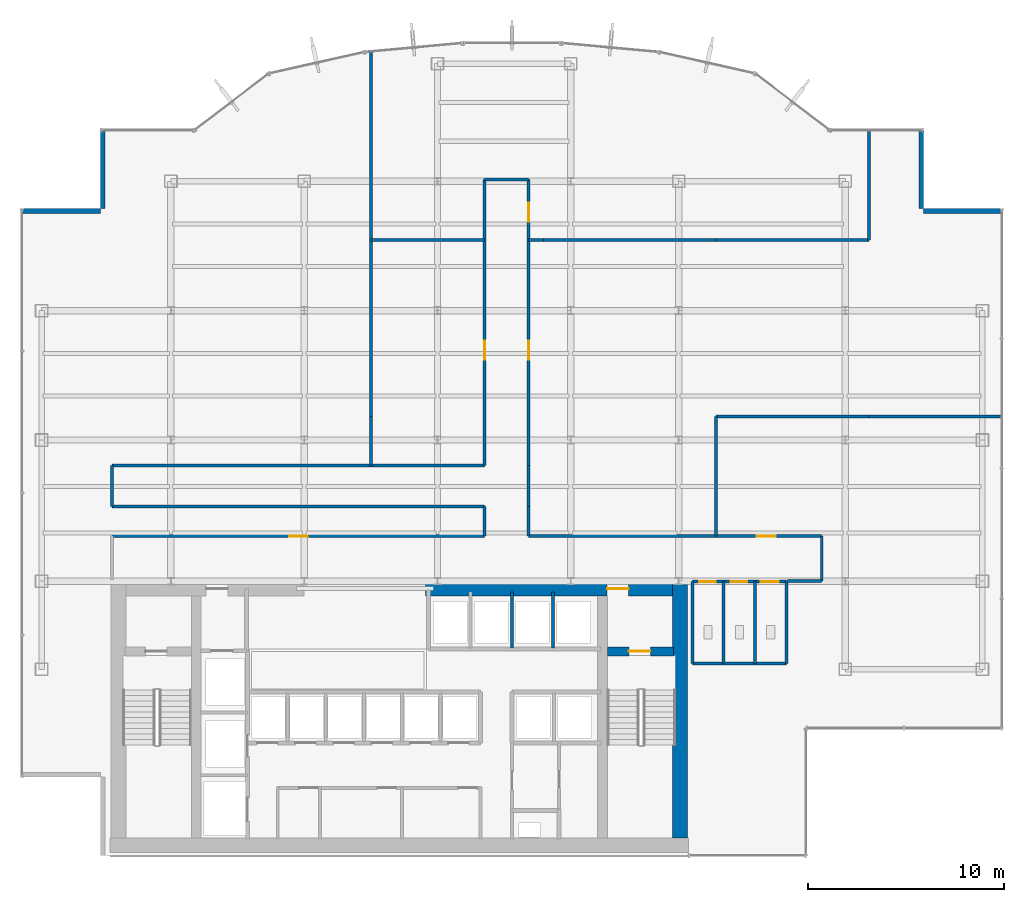
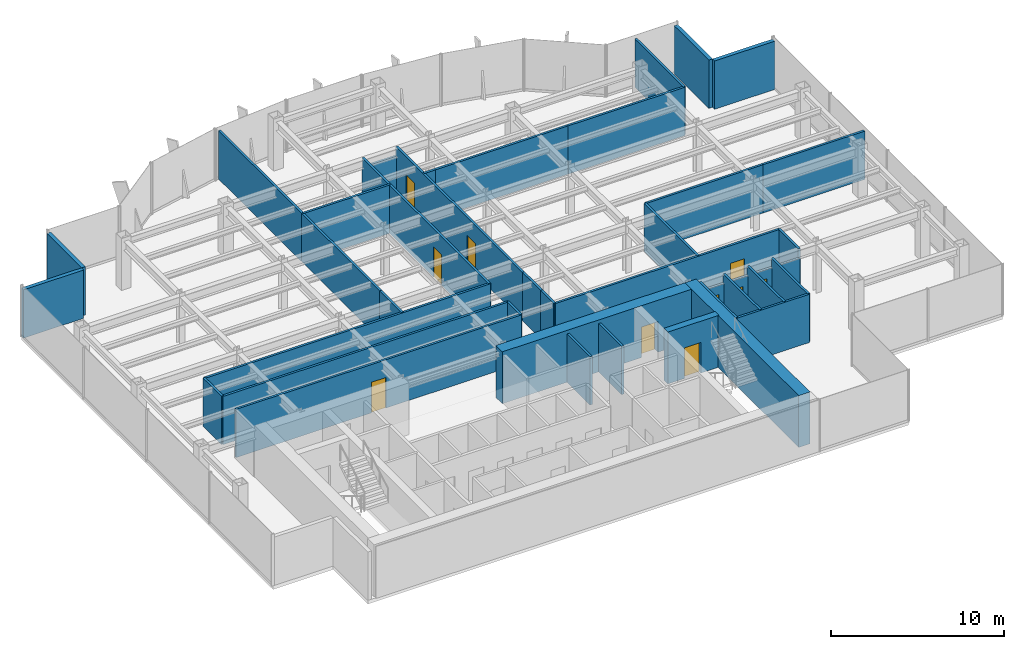
# One storey, part 21 of 25: 39 walls, 10 doors, 10 openings.
"""IFC4 building model written with IfcOpenShell, lengths in metres."""

from ifc_helpers import new_model, si_unit, derived_unit, direction, frame, frame_2d, origin, place, context, subcontext, project, spatial, rectangle, extrude, source, transform, mapped, material, layer, layer_set, type_object, element, fill, save


model = new_model("IFC4")

# Units and contexts
model_context = context("Model", 3, precision=1e-05, world=origin(), true_north=direction((0.0, 1.0)))
body_context = subcontext(model_context, "Body", "Model", "MODEL_VIEW")
ifc_project = project(units=[si_unit("LENGTHUNIT", "METRE"), si_unit("AREAUNIT", "SQUARE_METRE"), si_unit("VOLUMEUNIT", "CUBIC_METRE"), si_unit("PLANEANGLEUNIT", "RADIAN"), si_unit("MASSUNIT", "GRAM", prefix="KILO"), derived_unit("THERMALTRANSMITTANCEUNIT", [(si_unit("POWERUNIT", "WATT"), 1), (si_unit("LENGTHUNIT", "METRE"), -2), (si_unit("THERMODYNAMICTEMPERATUREUNIT", "KELVIN"), -1)])], contexts=[model_context])

# Site, building, storey
site_placement = place(None, origin())
site = spatial("IfcSite", under=ifc_project, at=site_placement, CompositionType="ELEMENT")
building_placement = place(site_placement, origin())
building = spatial("IfcBuilding", under=site, at=building_placement, Name="Skarnbrae Concourse Arena and Tower", CompositionType="ELEMENT")
storey_placement = place(building_placement, frame((0.0, 0.0, 177.10009765625)))
storey = spatial("IfcBuildingStorey", under=building, at=storey_placement, Name="L45", CompositionType="ELEMENT", Elevation=177.10009765625)

# Wall, opening, door
ifc_material_1 = material(Name="Concrete 50 MPa (C50/60)", Category="concrete")
ifc_layer_1 = layer(ifc_material_1, 0.449951171875)
ifc_layer_set_1 = layer_set([ifc_layer_1], Name="Concrete 50 MPa (C50/60)")
wall_type_1 = type_object("IfcWallType", Name="WALL-CORE-450-C50", PredefinedType="SHEAR", material=ifc_layer_set_1)
shared_shape_1 = source(origin(), body_context, "Body", "SweptSolid", [
    extrude(rectangle(XDim=3.389892578125, YDim=0.449951171875, at=frame_2d((1.69482421875, 0.0))), origin(), (0.0, 0.0, 1.0), 3.64990234375),
])
wall_1_placement = place(storey_placement, frame((29.860107421875, 10.419921875, 0.0), z_axis=(0.0, 0.0, 1.0), x_axis=(1.0, 0.0, 0.0)))
wall_1 = element("IfcWall", 1, at=wall_1_placement, inside=storey, type_object=wall_type_1, Name="L45 Rear core shear wall CW-ST2-N", PredefinedType="SHEAR", context=body_context, shape_type="MappedRepresentation", body=[
    mapped(shared_shape_1, transform((0.0, 0.0, 0.0))),
])
opening_1_placement = place(wall_1_placement, frame((1.10009765625, 0.0, 0.0)))
opening_1 = element("IfcOpeningElement", 2, at=opening_1_placement, cuts=wall_1, Name="Opening DT-03", PredefinedType="OPENING", context=body_context, shape_type="SweptSolid", body=[
    extrude(rectangle(XDim=1.10009765625, YDim=2.14990234375, at=frame_2d((0.550048828125, 1.074951171875))), frame((0.0, 0.23486328125, 0.0), z_axis=(0.0, -1.0, 0.0), x_axis=(1.0, 0.0, 0.0)), (0.0, 0.0, 1.0), 0.469970703125),
])
ifc_material_2 = material(Name="Steel CSA G40.21 350W", Category="steel")
door_type_1 = type_object("IfcDoorType", Name="DOOR-FIRE-1100-90M", OperationType="NOTDEFINED", PredefinedType="DOOR", material=ifc_material_2)
shared_shape_2 = source(origin(), body_context, "Body", "SweptSolid", [
    extrude(rectangle(XDim=1.10009765625, YDim=2.14990234375, at=frame_2d((0.550048828125, 1.074951171875))), frame((0.0, 0.02490234375, 0.0), z_axis=(0.0, -1.0, 0.0), x_axis=(1.0, 0.0, 0.0)), (0.0, 0.0, 1.0), 0.050048828125),
])
door_1_placement = place(opening_1_placement, frame((1.10009765625, 0.0, 0.0), z_axis=(0.0, 0.0, 1.0), x_axis=(-1.0, 0.0, 0.0)))
door_1 = element("IfcDoor", 3, at=door_1_placement, inside=storey, type_object=door_type_1, Name="D-1381 Stair ST-2 Door", OperationType="SINGLE_SWING_RIGHT", OverallHeight=2.14990234375, OverallWidth=1.10009765625, PredefinedType="DOOR", context=body_context, shape_type="MappedRepresentation", body=[
    mapped(shared_shape_2, transform((0.0, 0.0, 0.0))),
])
fill(opening_1, door_1)

# Wall
ifc_material_3 = material(Name="Concrete 60 MPa (C60/75)", Category="concrete")
ifc_layer_2 = layer(ifc_material_3, 0.75)
ifc_layer_set_2 = layer_set([ifc_layer_2], Name="Concrete 60 MPa (C60/75)")
wall_type_2 = type_object("IfcWallType", Name="WALL-CORE-750-C60", PredefinedType="SHEAR", material=ifc_layer_set_2)
shared_shape_3 = source(origin(), body_context, "Body", "SweptSolid", [
    extrude(rectangle(XDim=13.10009765625, YDim=0.75, at=frame_2d((6.550048828125, 0.0))), origin(), (0.0, 0.0, 1.0), 3.64990234375),
])
wall_2_placement = place(storey_placement, frame((33.574951171875, 0.89990234375, 0.0), z_axis=(0.0, 0.0, 1.0), x_axis=(0.0, 1.0, 0.0)))
element("IfcWall", 4, at=wall_2_placement, inside=storey, type_object=wall_type_2, Name="L45 Rear core shear wall CW-E", PredefinedType="SHEAR", context=body_context, shape_type="MappedRepresentation", body=[
    mapped(shared_shape_3, transform((0.0, 0.0, 0.0))),
])

# Wall, opening, door
shared_shape_4 = source(origin(), body_context, "Body", "SweptSolid", [
    extrude(rectangle(XDim=12.599853515625, YDim=0.75, at=frame_2d((6.2998046875, 0.0))), origin(), (0.0, 0.0, 1.0), 3.64990234375),
])
wall_3_placement = place(storey_placement, frame((20.60009765625, 13.625, 0.0), z_axis=(0.0, 0.0, 1.0), x_axis=(1.0, 0.0, 0.0)))
wall_3 = element("IfcWall", 5, at=wall_3_placement, inside=storey, type_object=wall_type_2, Name="L45 Rear core shear wall CW-NE", PredefinedType="SHEAR", context=body_context, shape_type="MappedRepresentation", body=[
    mapped(shared_shape_4, transform((0.0, 0.0, 0.0))),
])
opening_2_placement = place(wall_3_placement, frame((9.25, 0.0, 0.0)))
opening_2 = element("IfcOpeningElement", 6, at=opening_2_placement, cuts=wall_3, Name="Opening DT-03", PredefinedType="OPENING", context=body_context, shape_type="SweptSolid", body=[
    extrude(rectangle(XDim=1.10009765625, YDim=2.14990234375, at=frame_2d((0.550048828125, 1.074951171875))), frame((0.0, 0.385009765625, 0.0), z_axis=(0.0, -1.0, 0.0), x_axis=(1.0, 0.0, 0.0)), (0.0, 0.0, 1.0), 0.77001953125),
])
door_2_placement = place(opening_2_placement, origin())
door_2 = element("IfcDoor", 7, at=door_2_placement, inside=storey, type_object=door_type_1, Name="D-1383 Stair ST-2 Vestibule Door", OperationType="SINGLE_SWING_LEFT", OverallHeight=2.14990234375, OverallWidth=1.10009765625, PredefinedType="DOOR", context=body_context, shape_type="MappedRepresentation", body=[
    mapped(shared_shape_2, transform((0.0, 0.0, 0.0))),
])
fill(opening_2, door_2)

# Walls
ifc_material_4 = material(Name="Precast concrete 40 MPa (C40/50)", Category="concrete")
ifc_layer_3 = layer(ifc_material_4, 0.25)
ifc_layer_set_3 = layer_set([ifc_layer_3], Name="Precast concrete 40 MPa (C40/50)")
wall_type_3 = type_object("IfcWallType", Name="WALL-EXT-SPANDREL-250", PredefinedType="STANDARD", material=ifc_layer_set_3)
shared_shape_5 = source(origin(), body_context, "Body", "SweptSolid", [
    extrude(rectangle(XDim=4.0, YDim=0.25, at=frame_2d((2.0, 0.0))), origin(), (0.0, 0.0, 1.0), 3.39990234375),
])
for number, where, z_axis, x_axis, name in (
    (8, (50.0, 32.875, 0.0), (0.0, 0.0, 1.0), (-1.0, 0.0, 0.0), "L45 Notched corner insulated return wall 05"),
    (9, (45.875, 33.0, 0.0), (0.0, 0.0, 1.0), (0.0, 1.0, 0.0), "L45 Notched corner insulated return wall 06"),
    (10, (4.125, 37.0, 0.0), (0.0, 0.0, 1.0), (0.0, -1.0, 0.0), "L45 Notched corner insulated return wall 16"),
    (11, (4.0, 32.875, 0.0), (0.0, 0.0, 1.0), (-1.0, 0.0, 0.0), "L45 Notched corner insulated return wall 17"),
):
    element("IfcWall", number, at=place(storey_placement, frame(where, z_axis=z_axis, x_axis=x_axis)), inside=storey, type_object=wall_type_3, Name=name, PredefinedType="STANDARD", context=body_context, shape_type="MappedRepresentation", body=[
        mapped(shared_shape_5, transform((0.0, 0.0, 0.0))),
    ])
ifc_material_5 = material(Name="Gypsum board on cold-formed steel studs", Category="steel")
ifc_layer_4 = layer(ifc_material_5, 0.14990234375)
ifc_layer_set_4 = layer_set([ifc_layer_4], Name="Gypsum board on cold-formed steel studs")
wall_type_4 = type_object("IfcWallType", Name="WALL-PART-150", PredefinedType="PARTITIONING", material=ifc_layer_set_4)
shared_shape_6 = source(origin(), body_context, "Body", "SweptSolid", [
    extrude(rectangle(XDim=2.5, YDim=0.14990234375, at=frame_2d((1.25, 0.0))), origin(), (0.0, 0.0, 1.0), 3.39990234375),
])
wall_4_placement = place(storey_placement, frame((17.800048828125, 22.39990234375, 0.0), z_axis=(0.0, 0.0, 1.0), x_axis=(0.0, -1.0, 0.0)))
element("IfcWall", 12, at=wall_4_placement, inside=storey, type_object=wall_type_4, Name="L45 Interior partition wall W-L45-DEM-16", PredefinedType="PARTITIONING", context=body_context, shape_type="MappedRepresentation", body=[
    mapped(shared_shape_6, transform((0.0, 0.0, 0.0))),
])
shared_shape_7 = source(origin(), body_context, "Body", "SweptSolid", [
    extrude(rectangle(XDim=2.849853515625, YDim=0.14990234375, at=frame_2d((1.4248046875, 0.0))), origin(), (0.0, 0.0, 1.0), 3.39990234375),
])
for number, where, z_axis, x_axis, name in (
    (13, (24.989990234375, 10.60009765625, 0.0), (0.0, 0.0, 1.0), (0.0, 1.0, 0.0), "L45 Interior partition wall W-L45-B3N-P2"),
    (14, (27.090087890625, 10.60009765625, 0.0), (0.0, 0.0, 1.0), (0.0, 1.0, 0.0), "L45 Interior partition wall W-L45-B3N-P3"),
):
    element("IfcWall", number, at=place(storey_placement, frame(where, z_axis=z_axis, x_axis=x_axis)), inside=storey, type_object=wall_type_4, Name=name, PredefinedType="PARTITIONING", context=body_context, shape_type="MappedRepresentation", body=[
        mapped(shared_shape_7, transform((0.0, 0.0, 0.0))),
    ])
shared_shape_8 = source(origin(), body_context, "Body", "SweptSolid", [
    extrude(rectangle(XDim=4.800048828125, YDim=0.14990234375, at=frame_2d((2.39990234375, 0.0))), origin(), (0.0, 0.0, 1.0), 3.39990234375),
])
wall_5_placement = place(storey_placement, frame((34.199951171875, 9.800048828125, 0.0), z_axis=(0.0, 0.0, 1.0), x_axis=(1.0, 0.0, 0.0)))
element("IfcWall", 15, at=wall_5_placement, inside=storey, type_object=wall_type_4, Name="L45 Interior partition wall W-L45-WC-S", PredefinedType="PARTITIONING", context=body_context, shape_type="MappedRepresentation", body=[
    mapped(shared_shape_8, transform((0.0, 0.0, 0.0))),
])
shared_shape_9 = source(origin(), body_context, "Body", "SweptSolid", [
    extrude(rectangle(XDim=4.179931640625, YDim=0.14990234375, at=frame_2d((2.08984375, 0.0))), origin(), (0.0, 0.0, 1.0), 3.39990234375),
])
for number, where, z_axis, x_axis, name in (
    (16, (39.0, 9.800048828125, 0.0), (0.0, 0.0, 1.0), (0.0, 1.0, 0.0), "L45 Interior partition wall W-L45-WC-E"),
    (17, (34.199951171875, 9.800048828125, 0.0), (0.0, 0.0, 1.0), (0.0, 1.0, 0.0), "L45 Interior partition wall W-L45-WC-W"),
    (18, (35.800048828125, 9.800048828125, 0.0), (0.0, 0.0, 1.0), (0.0, 1.0, 0.0), "L45 Interior partition wall W-L45-WC-D1"),
    (19, (37.39990234375, 9.800048828125, 0.0), (0.0, 0.0, 1.0), (0.0, 1.0, 0.0), "L45 Interior partition wall W-L45-WC-D2"),
):
    element("IfcWall", number, at=place(storey_placement, frame(where, z_axis=z_axis, x_axis=x_axis)), inside=storey, type_object=wall_type_4, Name=name, PredefinedType="PARTITIONING", context=body_context, shape_type="MappedRepresentation", body=[
        mapped(shared_shape_9, transform((0.0, 0.0, 0.0))),
    ])
ifc_layer_5 = layer(ifc_material_5, 0.14990234375)
ifc_layer_set_5 = layer_set([ifc_layer_5], Name="Gypsum board on cold-formed steel studs")
wall_type_5 = type_object("IfcWallType", Name="WALL-PART-150-1HR", PredefinedType="PARTITIONING", material=ifc_layer_set_5)
shared_shape_10 = source(origin(), body_context, "Body", "SweptSolid", [
    extrude(rectangle(XDim=2.300048828125, YDim=0.14990234375, at=frame_2d((1.14990234375, 0.0))), origin(), (0.0, 0.0, 1.0), 3.39990234375),
])
wall_6_placement = place(storey_placement, frame((40.800048828125, 16.300048828125, 0.0), z_axis=(0.0, 0.0, 1.0), x_axis=(0.0, -1.0, 0.0)))
element("IfcWall", 20, at=wall_6_placement, inside=storey, type_object=wall_type_5, Name="L45 Interior partition wall W-L45-COR-13", PredefinedType="PARTITIONING", context=body_context, shape_type="MappedRepresentation", body=[
    mapped(shared_shape_10, transform((0.0, 0.0, 0.0))),
])
shared_shape_11 = source(origin(), body_context, "Body", "SweptSolid", [
    extrude(rectangle(XDim=2.099853515625, YDim=0.14990234375, at=frame_2d((1.0498046875, 0.0))), origin(), (0.0, 0.0, 1.0), 3.39990234375),
])
for number, where, z_axis, x_axis, name in (
    (21, (4.60009765625, 17.800048828125, 0.0), (0.0, 0.0, 1.0), (0.0, 1.0, 0.0), "L45 Interior partition wall W-L45-COR-05"),
    (22, (25.85009765625, 19.89990234375, 0.0), (0.0, 0.0, 1.0), (0.0, -1.0, 0.0), "L45 Interior partition wall W-L45-COR-10"),
):
    element("IfcWall", number, at=place(storey_placement, frame(where, z_axis=z_axis, x_axis=x_axis)), inside=storey, type_object=wall_type_5, Name=name, PredefinedType="PARTITIONING", context=body_context, shape_type="MappedRepresentation", body=[
        mapped(shared_shape_11, transform((0.0, 0.0, 0.0))),
    ])

# Wall, openings, doors
shared_shape_12 = source(origin(), body_context, "Body", "SweptSolid", [
    extrude(rectangle(XDim=4.800048828125, YDim=0.14990234375, at=frame_2d((2.39990234375, 0.0))), origin(), (0.0, 0.0, 1.0), 2.760009765625),
])
wall_7_placement = place(storey_placement, frame((34.199951171875, 13.97998046875, 0.0), z_axis=(0.0, 0.0, 1.0), x_axis=(1.0, 0.0, 0.0)))
wall_7 = element("IfcWall", 23, at=wall_7_placement, inside=storey, type_object=wall_type_4, Name="L45 Interior partition wall W-L45-WC-N", PredefinedType="PARTITIONING", context=body_context, shape_type="MappedRepresentation", body=[
    mapped(shared_shape_12, transform((0.0, 0.0, 0.0))),
])
opening_3_placement = place(wall_7_placement, frame((0.35009765625, 0.0, 0.0)))
opening_3 = element("IfcOpeningElement", 24, at=opening_3_placement, cuts=wall_7, Name="Opening DT-06", PredefinedType="OPENING", context=body_context, shape_type="SweptSolid", body=[
    extrude(rectangle(XDim=0.85009765625, YDim=2.10009765625, at=frame_2d((0.425048828125, 1.050048828125))), frame((0.0, 0.0849609375, 0.0), z_axis=(0.0, -1.0, 0.0), x_axis=(1.0, 0.0, 0.0)), (0.0, 0.0, 1.0), 0.169921875),
])
opening_4_placement = place(wall_7_placement, frame((1.949951171875, 0.0, 0.0)))
opening_4 = element("IfcOpeningElement", 25, at=opening_4_placement, cuts=wall_7, Name="Opening DT-06", PredefinedType="OPENING", context=body_context, shape_type="SweptSolid", body=[
    extrude(rectangle(XDim=0.85009765625, YDim=2.10009765625, at=frame_2d((0.425048828125, 1.050048828125))), frame((0.0, 0.0849609375, 0.0), z_axis=(0.0, -1.0, 0.0), x_axis=(1.0, 0.0, 0.0)), (0.0, 0.0, 1.0), 0.169921875),
])
opening_5_placement = place(wall_7_placement, frame((3.5, 0.0, 0.0)))
opening_5 = element("IfcOpeningElement", 26, at=opening_5_placement, cuts=wall_7, Name="Opening DT-05", PredefinedType="OPENING", context=body_context, shape_type="SweptSolid", body=[
    extrude(rectangle(XDim=0.89990234375, YDim=2.10009765625, at=frame_2d((0.449951171875, 1.050048828125))), frame((0.0, 0.0849609375, 0.0), z_axis=(0.0, -1.0, 0.0), x_axis=(1.0, 0.0, 0.0)), (0.0, 0.0, 1.0), 0.169921875),
])
ifc_material_6 = material(Name="Architectural oak veneer timber leaf", Category="wood")
door_type_2 = type_object("IfcDoorType", Name="DOOR-INT-850", OperationType="NOTDEFINED", PredefinedType="DOOR", material=ifc_material_6)
shared_shape_13 = source(origin(), body_context, "Body", "SweptSolid", [
    extrude(rectangle(XDim=0.85009765625, YDim=2.10009765625, at=frame_2d((0.425048828125, 1.050048828125))), frame((0.0, 0.02490234375, 0.0), z_axis=(0.0, -1.0, 0.0), x_axis=(1.0, 0.0, 0.0)), (0.0, 0.0, 1.0), 0.050048828125),
])
door_3_placement = place(opening_3_placement, frame((0.85009765625, 0.0, 0.0), z_axis=(0.0, 0.0, 1.0), x_axis=(-1.0, 0.0, 0.0)))
door_3 = element("IfcDoor", 27, at=door_3_placement, inside=storey, type_object=door_type_2, Name="D-1398 Male Washroom Door", OperationType="SINGLE_SWING_LEFT", OverallHeight=2.10009765625, OverallWidth=0.85009765625, PredefinedType="DOOR", context=body_context, shape_type="MappedRepresentation", body=[
    mapped(shared_shape_13, transform((0.0, 0.0, 0.0))),
])
fill(opening_3, door_3)
door_4_placement = place(opening_4_placement, frame((0.85009765625, 0.0, 0.0), z_axis=(0.0, 0.0, 1.0), x_axis=(-1.0, 0.0, 0.0)))
door_4 = element("IfcDoor", 28, at=door_4_placement, inside=storey, type_object=door_type_2, Name="D-1399 Female Washroom Door", OperationType="SINGLE_SWING_RIGHT", OverallHeight=2.10009765625, OverallWidth=0.85009765625, PredefinedType="DOOR", context=body_context, shape_type="MappedRepresentation", body=[
    mapped(shared_shape_13, transform((0.0, 0.0, 0.0))),
])
fill(opening_4, door_4)
door_type_3 = type_object("IfcDoorType", Name="DOOR-INT-900", OperationType="NOTDEFINED", PredefinedType="DOOR", material=ifc_material_6)
shared_shape_14 = source(origin(), body_context, "Body", "SweptSolid", [
    extrude(rectangle(XDim=0.89990234375, YDim=2.10009765625, at=frame_2d((0.449951171875, 1.050048828125))), frame((0.0, 0.02490234375, 0.0), z_axis=(0.0, -1.0, 0.0), x_axis=(1.0, 0.0, 0.0)), (0.0, 0.0, 1.0), 0.050048828125),
])
door_5_placement = place(opening_5_placement, frame((0.89990234375, 0.0, 0.0), z_axis=(0.0, 0.0, 1.0), x_axis=(-1.0, 0.0, 0.0)))
door_5 = element("IfcDoor", 29, at=door_5_placement, inside=storey, type_object=door_type_3, Name="D-1400 Accessible WC Door", OperationType="SINGLE_SWING_LEFT", OverallHeight=2.10009765625, OverallWidth=0.89990234375, PredefinedType="DOOR", context=body_context, shape_type="MappedRepresentation", body=[
    mapped(shared_shape_14, transform((0.0, 0.0, 0.0))),
])
fill(opening_5, door_5)

# Walls
shared_shape_15 = source(origin(), body_context, "Body", "SweptSolid", [
    extrude(rectangle(XDim=9.0, YDim=0.14990234375, at=frame_2d((4.5, 0.0))), origin(), (0.0, 0.0, 1.0), 3.39990234375),
])
wall_8_placement = place(storey_placement, frame((17.800048828125, 31.39990234375, 0.0), z_axis=(0.0, 0.0, 1.0), x_axis=(0.0, -1.0, 0.0)))
element("IfcWall", 30, at=wall_8_placement, inside=storey, type_object=wall_type_4, Name="L45 Interior partition wall W-L45-DEM-15", PredefinedType="PARTITIONING", context=body_context, shape_type="MappedRepresentation", body=[
    mapped(shared_shape_15, transform((0.0, 0.0, 0.0))),
])
shared_shape_16 = source(origin(), body_context, "Body", "SweptSolid", [
    extrude(rectangle(XDim=1.75, YDim=0.14990234375, at=frame_2d((0.875, 0.0))), origin(), (0.0, 0.0, 1.0), 2.760009765625),
])
wall_9_placement = place(storey_placement, frame((40.800048828125, 14.0, 0.0), z_axis=(0.0, 0.0, 1.0), x_axis=(-1.0, 0.0, 0.0)))
element("IfcWall", 31, at=wall_9_placement, inside=storey, type_object=wall_type_5, Name="L45 Interior partition wall W-L45-COR-14", PredefinedType="PARTITIONING", context=body_context, shape_type="MappedRepresentation", body=[
    mapped(shared_shape_16, transform((0.0, 0.0, 0.0))),
])
shared_shape_17 = source(origin(), body_context, "Body", "SweptSolid", [
    extrude(rectangle(XDim=2.25, YDim=0.14990234375, at=frame_2d((1.125, 0.0))), origin(), (0.0, 0.0, 1.0), 2.760009765625),
])
wall_10_placement = place(storey_placement, frame((23.60009765625, 34.5, 0.0), z_axis=(0.0, 0.0, 1.0), x_axis=(1.0, 0.0, 0.0)))
element("IfcWall", 32, at=wall_10_placement, inside=storey, type_object=wall_type_5, Name="L45 Interior partition wall W-L45-COR-08", PredefinedType="PARTITIONING", context=body_context, shape_type="MappedRepresentation", body=[
    mapped(shared_shape_17, transform((0.0, 0.0, 0.0))),
])

# Wall, opening, door
shared_shape_18 = source(origin(), body_context, "Body", "SweptSolid", [
    extrude(rectangle(XDim=19.0, YDim=0.14990234375, at=frame_2d((9.5, 0.0))), origin(), (0.0, 0.0, 1.0), 3.39990234375),
])
wall_11_placement = place(storey_placement, frame((4.60009765625, 16.300048828125, 0.0), z_axis=(0.0, 0.0, 1.0), x_axis=(1.0, 0.0, 0.0)))
wall_11 = element("IfcWall", 33, at=wall_11_placement, inside=storey, type_object=wall_type_5, Name="L45 Interior partition wall W-L45-COR-02", PredefinedType="PARTITIONING", context=body_context, shape_type="MappedRepresentation", body=[
    mapped(shared_shape_18, transform((0.0, 0.0, 0.0))),
])
opening_6_placement = place(wall_11_placement, frame((9.02490234375, 0.0, 0.0)))
opening_6 = element("IfcOpeningElement", 34, at=opening_6_placement, cuts=wall_11, Name="Opening DT-04", PredefinedType="OPENING", context=body_context, shape_type="SweptSolid", body=[
    extrude(rectangle(XDim=0.949951171875, YDim=2.14990234375, at=frame_2d((0.47509765625, 1.074951171875))), frame((0.0, 0.0849609375, 0.0), z_axis=(0.0, -1.0, 0.0), x_axis=(1.0, 0.0, 0.0)), (0.0, 0.0, 1.0), 0.169921875),
])
door_type_4 = type_object("IfcDoorType", Name="DOOR-INT-950-45M", OperationType="NOTDEFINED", PredefinedType="DOOR", material=ifc_material_2)
shared_shape_19 = source(origin(), body_context, "Body", "SweptSolid", [
    extrude(rectangle(XDim=0.949951171875, YDim=2.14990234375, at=frame_2d((0.47509765625, 1.074951171875))), frame((0.0, 0.02490234375, 0.0), z_axis=(0.0, -1.0, 0.0), x_axis=(1.0, 0.0, 0.0)), (0.0, 0.0, 1.0), 0.050048828125),
])
door_6_placement = place(opening_6_placement, origin())
door_6 = element("IfcDoor", 35, at=door_6_placement, inside=storey, type_object=door_type_4, Name="D-1401 L45 Suite Door 01", OperationType="SINGLE_SWING_LEFT", OverallHeight=2.14990234375, OverallWidth=0.949951171875, PredefinedType="DOOR", context=body_context, shape_type="MappedRepresentation", body=[
    mapped(shared_shape_19, transform((0.0, 0.0, 0.0))),
])
fill(opening_6, door_6)

# Walls
for number, where, z_axis, x_axis, name in (
    (36, (23.60009765625, 17.800048828125, 0.0), (0.0, 0.0, 1.0), (-1.0, 0.0, 0.0), "L45 Interior partition wall W-L45-COR-04"),
    (37, (4.60009765625, 19.89990234375, 0.0), (0.0, 0.0, 1.0), (1.0, 0.0, 0.0), "L45 Interior partition wall W-L45-COR-06"),
):
    element("IfcWall", number, at=place(storey_placement, frame(where, z_axis=z_axis, x_axis=x_axis)), inside=storey, type_object=wall_type_5, Name=name, PredefinedType="PARTITIONING", context=body_context, shape_type="MappedRepresentation", body=[
        mapped(shared_shape_18, transform((0.0, 0.0, 0.0))),
    ])
shared_shape_20 = source(origin(), body_context, "Body", "SweptSolid", [
    extrude(rectangle(XDim=1.5, YDim=0.14990234375, at=frame_2d((0.75, 0.0))), origin(), (0.0, 0.0, 1.0), 3.39990234375),
])
for number, where, z_axis, x_axis, name in (
    (38, (23.60009765625, 16.300048828125, 0.0), (0.0, 0.0, 1.0), (0.0, 1.0, 0.0), "L45 Interior partition wall W-L45-COR-03"),
    (39, (25.85009765625, 17.800048828125, 0.0), (0.0, 0.0, 1.0), (0.0, -1.0, 0.0), "L45 Interior partition wall W-L45-COR-11"),
):
    element("IfcWall", number, at=place(storey_placement, frame(where, z_axis=z_axis, x_axis=x_axis)), inside=storey, type_object=wall_type_5, Name=name, PredefinedType="PARTITIONING", context=body_context, shape_type="MappedRepresentation", body=[
        mapped(shared_shape_20, transform((0.0, 0.0, 0.0))),
    ])

# Wall, opening, door
shared_shape_21 = source(origin(), body_context, "Body", "SweptSolid", [
    extrude(rectangle(XDim=14.60009765625, YDim=0.14990234375, at=frame_2d((7.300048828125, 0.0))), origin(), (0.0, 0.0, 1.0), 3.39990234375),
])
wall_12_placement = place(storey_placement, frame((23.60009765625, 19.89990234375, 0.0), z_axis=(0.0, 0.0, 1.0), x_axis=(0.0, 1.0, 0.0)))
wall_12 = element("IfcWall", 40, at=wall_12_placement, inside=storey, type_object=wall_type_5, Name="L45 Interior partition wall W-L45-COR-07", PredefinedType="PARTITIONING", context=body_context, shape_type="MappedRepresentation", body=[
    mapped(shared_shape_21, transform((0.0, 0.0, 0.0))),
])
opening_7_placement = place(wall_12_placement, frame((5.405029296875, 0.0, 0.0)))
opening_7 = element("IfcOpeningElement", 41, at=opening_7_placement, cuts=wall_12, Name="Opening DT-04", PredefinedType="OPENING", context=body_context, shape_type="SweptSolid", body=[
    extrude(rectangle(XDim=0.949951171875, YDim=2.14990234375, at=frame_2d((0.47509765625, 1.074951171875))), frame((0.0, 0.0849609375, 0.0), z_axis=(0.0, -1.0, 0.0), x_axis=(1.0, 0.0, 0.0)), (0.0, 0.0, 1.0), 0.169921875),
])
door_7_placement = place(opening_7_placement, origin())
door_7 = element("IfcDoor", 42, at=door_7_placement, inside=storey, type_object=door_type_4, Name="D-1402 L45 Suite Door 02", OperationType="SINGLE_SWING_RIGHT", OverallHeight=2.14990234375, OverallWidth=0.949951171875, PredefinedType="DOOR", context=body_context, shape_type="MappedRepresentation", body=[
    mapped(shared_shape_19, transform((0.0, 0.0, 0.0))),
])
fill(opening_7, door_7)

# Wall, openings, doors
wall_13_placement = place(storey_placement, frame((25.85009765625, 34.5, 0.0), z_axis=(0.0, 0.0, 1.0), x_axis=(0.0, -1.0, 0.0)))
wall_13 = element("IfcWall", 43, at=wall_13_placement, inside=storey, type_object=wall_type_5, Name="L45 Interior partition wall W-L45-COR-09", PredefinedType="PARTITIONING", context=body_context, shape_type="MappedRepresentation", body=[
    mapped(shared_shape_21, transform((0.0, 0.0, 0.0))),
])
opening_8_placement = place(wall_13_placement, frame((1.205078125, 0.0, 0.0)))
opening_8 = element("IfcOpeningElement", 44, at=opening_8_placement, cuts=wall_13, Name="Opening DT-04", PredefinedType="OPENING", context=body_context, shape_type="SweptSolid", body=[
    extrude(rectangle(XDim=0.949951171875, YDim=2.14990234375, at=frame_2d((0.47509765625, 1.074951171875))), frame((0.0, 0.0849609375, 0.0), z_axis=(0.0, -1.0, 0.0), x_axis=(1.0, 0.0, 0.0)), (0.0, 0.0, 1.0), 0.169921875),
])
opening_9_placement = place(wall_13_placement, frame((8.2451171875, 0.0, 0.0)))
opening_9 = element("IfcOpeningElement", 45, at=opening_9_placement, cuts=wall_13, Name="Opening DT-04", PredefinedType="OPENING", context=body_context, shape_type="SweptSolid", body=[
    extrude(rectangle(XDim=0.949951171875, YDim=2.14990234375, at=frame_2d((0.47509765625, 1.074951171875))), frame((0.0, 0.0849609375, 0.0), z_axis=(0.0, -1.0, 0.0), x_axis=(1.0, 0.0, 0.0)), (0.0, 0.0, 1.0), 0.169921875),
])
door_8_placement = place(opening_8_placement, origin())
door_8 = element("IfcDoor", 46, at=door_8_placement, inside=storey, type_object=door_type_4, Name="D-1403 L45 Suite Door 03", OperationType="SINGLE_SWING_LEFT", OverallHeight=2.14990234375, OverallWidth=0.949951171875, PredefinedType="DOOR", context=body_context, shape_type="MappedRepresentation", body=[
    mapped(shared_shape_19, transform((0.0, 0.0, 0.0))),
])
fill(opening_8, door_8)
door_9_placement = place(opening_9_placement, origin())
door_9 = element("IfcDoor", 47, at=door_9_placement, inside=storey, type_object=door_type_4, Name="D-1404 L45 Suite Door 04", OperationType="SINGLE_SWING_RIGHT", OverallHeight=2.14990234375, OverallWidth=0.949951171875, PredefinedType="DOOR", context=body_context, shape_type="MappedRepresentation", body=[
    mapped(shared_shape_19, transform((0.0, 0.0, 0.0))),
])
fill(opening_9, door_9)

# Wall, opening, door
shared_shape_22 = source(origin(), body_context, "Body", "SweptSolid", [
    extrude(rectangle(XDim=14.949951171875, YDim=0.14990234375, at=frame_2d((7.47509765625, 0.0))), origin(), (0.0, 0.0, 1.0), 3.39990234375),
])
wall_14_placement = place(storey_placement, frame((25.85009765625, 16.300048828125, 0.0), z_axis=(0.0, 0.0, 1.0), x_axis=(1.0, 0.0, 0.0)))
wall_14 = element("IfcWall", 48, at=wall_14_placement, inside=storey, type_object=wall_type_5, Name="L45 Interior partition wall W-L45-COR-12", PredefinedType="PARTITIONING", context=body_context, shape_type="MappedRepresentation", body=[
    mapped(shared_shape_22, transform((0.0, 0.0, 0.0))),
])
opening_10_placement = place(wall_14_placement, frame((11.64501953125, 0.0, 0.0)))
opening_10 = element("IfcOpeningElement", 49, at=opening_10_placement, cuts=wall_14, Name="Opening DT-04", PredefinedType="OPENING", context=body_context, shape_type="SweptSolid", body=[
    extrude(rectangle(XDim=0.949951171875, YDim=2.14990234375, at=frame_2d((0.47509765625, 1.074951171875))), frame((0.0, 0.0849609375, 0.0), z_axis=(0.0, -1.0, 0.0), x_axis=(1.0, 0.0, 0.0)), (0.0, 0.0, 1.0), 0.169921875),
])
door_10_placement = place(opening_10_placement, origin())
door_10 = element("IfcDoor", 50, at=door_10_placement, inside=storey, type_object=door_type_4, Name="D-1405 L45 Suite Door 05", OperationType="SINGLE_SWING_LEFT", OverallHeight=2.14990234375, OverallWidth=0.949951171875, PredefinedType="DOOR", context=body_context, shape_type="MappedRepresentation", body=[
    mapped(shared_shape_19, transform((0.0, 0.0, 0.0))),
])
fill(opening_10, door_10)

# Walls
shared_shape_23 = source(origin(), body_context, "Body", "SweptSolid", [
    extrude(rectangle(XDim=5.800048828125, YDim=0.14990234375, at=frame_2d((2.89990234375, 0.0))), origin(), (0.0, 0.0, 1.0), 3.39990234375),
])
wall_15_placement = place(storey_placement, frame((17.800048828125, 31.39990234375, 0.0), z_axis=(0.0, 0.0, 1.0), x_axis=(1.0, 0.0, 0.0)))
element("IfcWall", 51, at=wall_15_placement, inside=storey, type_object=wall_type_4, Name="L45 Interior partition wall W-L45-DEM-17", PredefinedType="PARTITIONING", context=body_context, shape_type="MappedRepresentation", body=[
    mapped(shared_shape_23, transform((0.0, 0.0, 0.0))),
])
shared_shape_24 = source(origin(), body_context, "Body", "SweptSolid", [
    extrude(rectangle(XDim=9.595703125, YDim=0.14990234375, at=frame_2d((4.7978515625, 0.0))), origin(), (0.0, 0.0, 1.0), 3.39990234375),
])
wall_16_placement = place(storey_placement, frame((17.800048828125, 40.99560546875, 0.0), z_axis=(0.0, 0.0, 1.0), x_axis=(0.0, -1.0, 0.0)))
element("IfcWall", 52, at=wall_16_placement, inside=storey, type_object=wall_type_4, Name="L45 Interior partition wall W-L45-DEM-18", PredefinedType="PARTITIONING", context=body_context, shape_type="MappedRepresentation", body=[
    mapped(shared_shape_24, transform((0.0, 0.0, 0.0))),
])
shared_shape_25 = source(origin(), body_context, "Body", "SweptSolid", [
    extrude(rectangle(XDim=5.580078125, YDim=0.14990234375, at=frame_2d((2.7900390625, 0.0))), origin(), (0.0, 0.0, 1.0), 3.39990234375),
])
wall_17_placement = place(storey_placement, frame((43.199951171875, 36.97998046875, 0.0), z_axis=(0.0, 0.0, 1.0), x_axis=(0.0, -1.0, 0.0)))
element("IfcWall", 53, at=wall_17_placement, inside=storey, type_object=wall_type_4, Name="L45 Interior partition wall W-L45-DEM-19", PredefinedType="PARTITIONING", context=body_context, shape_type="MappedRepresentation", body=[
    mapped(shared_shape_25, transform((0.0, 0.0, 0.0))),
])
shared_shape_26 = source(origin(), body_context, "Body", "SweptSolid", [
    extrude(rectangle(XDim=7.800048828125, YDim=0.14990234375, at=frame_2d((3.89990234375, 0.0))), origin(), (0.0, 0.0, 1.0), 3.39990234375),
])
for number, where, z_axis, x_axis, name in (
    (54, (43.199951171875, 31.39990234375, 0.0), (0.0, 0.0, 1.0), (-1.0, 0.0, 0.0), "L45 Interior partition wall W-L45-DEM-20"),
    (55, (43.199951171875, 22.39990234375, 0.0), (0.0, 0.0, 1.0), (-1.0, 0.0, 0.0), "L45 Interior partition wall W-L45-DEM-24"),
):
    element("IfcWall", number, at=place(storey_placement, frame(where, z_axis=z_axis, x_axis=x_axis)), inside=storey, type_object=wall_type_4, Name=name, PredefinedType="PARTITIONING", context=body_context, shape_type="MappedRepresentation", body=[
        mapped(shared_shape_26, transform((0.0, 0.0, 0.0))),
    ])
shared_shape_27 = source(origin(), body_context, "Body", "SweptSolid", [
    extrude(rectangle(XDim=8.7998046875, YDim=0.14990234375, at=frame_2d((4.39990234375, 0.0))), origin(), (0.0, 0.0, 1.0), 3.39990234375),
])
wall_18_placement = place(storey_placement, frame((35.39990234375, 31.39990234375, 0.0), z_axis=(0.0, 0.0, 1.0), x_axis=(-1.0, 0.0, 0.0)))
element("IfcWall", 56, at=wall_18_placement, inside=storey, type_object=wall_type_4, Name="L45 Interior partition wall W-L45-DEM-21", PredefinedType="PARTITIONING", context=body_context, shape_type="MappedRepresentation", body=[
    mapped(shared_shape_27, transform((0.0, 0.0, 0.0))),
])
shared_shape_28 = source(origin(), body_context, "Body", "SweptSolid", [
    extrude(rectangle(XDim=0.75, YDim=0.14990234375, at=frame_2d((0.375, 0.0))), origin(), (0.0, 0.0, 1.0), 3.39990234375),
])
wall_19_placement = place(storey_placement, frame((26.60009765625, 31.39990234375, 0.0), z_axis=(0.0, 0.0, 1.0), x_axis=(-1.0, 0.0, 0.0)))
element("IfcWall", 57, at=wall_19_placement, inside=storey, type_object=wall_type_4, Name="L45 Interior partition wall W-L45-DEM-22", PredefinedType="PARTITIONING", context=body_context, shape_type="MappedRepresentation", body=[
    mapped(shared_shape_28, transform((0.0, 0.0, 0.0))),
])
shared_shape_29 = source(origin(), body_context, "Body", "SweptSolid", [
    extrude(rectangle(XDim=6.780029296875, YDim=0.14990234375, at=frame_2d((3.39013671875, 0.0))), origin(), (0.0, 0.0, 1.0), 3.39990234375),
])
wall_20_placement = place(storey_placement, frame((49.97998046875, 22.39990234375, 0.0), z_axis=(0.0, 0.0, 1.0), x_axis=(-1.0, 0.0, 0.0)))
element("IfcWall", 58, at=wall_20_placement, inside=storey, type_object=wall_type_4, Name="L45 Interior partition wall W-L45-DEM-23", PredefinedType="PARTITIONING", context=body_context, shape_type="MappedRepresentation", body=[
    mapped(shared_shape_29, transform((0.0, 0.0, 0.0))),
])
shared_shape_30 = source(origin(), body_context, "Body", "SweptSolid", [
    extrude(rectangle(XDim=6.099853515625, YDim=0.14990234375, at=frame_2d((3.0498046875, 0.0))), origin(), (0.0, 0.0, 1.0), 3.39990234375),
])
wall_21_placement = place(storey_placement, frame((35.39990234375, 22.39990234375, 0.0), z_axis=(0.0, 0.0, 1.0), x_axis=(0.0, -1.0, 0.0)))
element("IfcWall", 59, at=wall_21_placement, inside=storey, type_object=wall_type_4, Name="L45 Interior partition wall W-L45-DEM-25", PredefinedType="PARTITIONING", context=body_context, shape_type="MappedRepresentation", body=[
    mapped(shared_shape_30, transform((0.0, 0.0, 0.0))),
])

save(model, "model.ifc")
